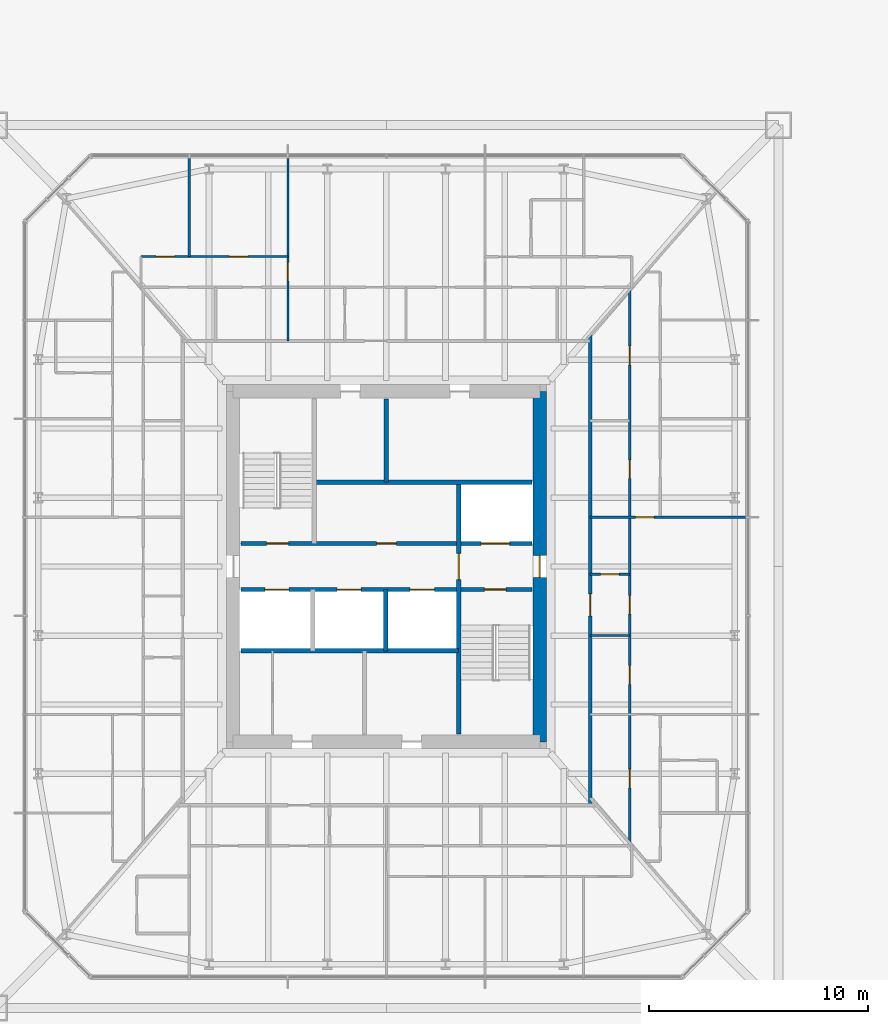
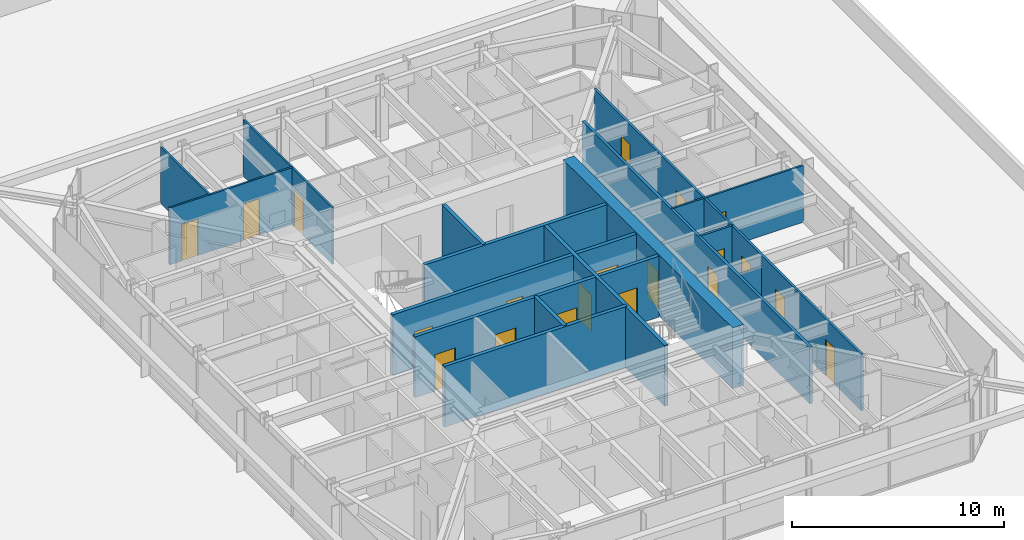
# One storey, part 24 of 31: 20 doors, 16 walls, 20 openings.
"""IFC4 building model written with IfcOpenShell, lengths in metres."""

from ifc_helpers import new_model, si_unit, direction, frame, frame_2d, origin, place, context, subcontext, project, spatial, rectangle, extrude, material, layer, layer_set, type_object, element, fill, save


model = new_model("IFC4")

# Units and contexts
model_context = context("Model", 3, precision=1e-05, world=origin(), true_north=direction((0.0, 1.0)))
body_context = subcontext(model_context, "Body", "Model", "MODEL_VIEW")
ifc_project = project(units=[si_unit("LENGTHUNIT", "METRE"), si_unit("AREAUNIT", "SQUARE_METRE"), si_unit("VOLUMEUNIT", "CUBIC_METRE"), si_unit("PLANEANGLEUNIT", "RADIAN"), si_unit("MASSUNIT", "GRAM", prefix="KILO")], contexts=[model_context])

# Site, building, storey
site_placement = place(None, origin())
site = spatial("IfcSite", under=ifc_project, at=site_placement, CompositionType="ELEMENT")
building_placement = place(site_placement, origin())
building = spatial("IfcBuilding", under=site, at=building_placement, Name="Iwan Alto Co-Living Towers", CompositionType="ELEMENT")
storey_placement = place(building_placement, frame((0.0, 0.0, 15.0)))
storey = spatial("IfcBuildingStorey", under=building, at=storey_placement, Name="L03", CompositionType="ELEMENT", Elevation=15.0)

# Wall, opening, door
ifc_material_1 = material(Name="Gypsum board")
ifc_layer_1 = layer(ifc_material_1, 0.02490234375, Name="Board", Category="Finish")
ifc_material_2 = material(Name="Steel ASTM A1003 ST33H cold-formed studs", Category="steel")
ifc_layer_2 = layer(ifc_material_2, 0.10009765625, Name="Studs", Category="Framing")
ifc_layer_3 = layer(ifc_material_1, 0.02490234375, Name="Board", Category="Finish")
ifc_layer_set_1 = layer_set([ifc_layer_1, ifc_layer_2, ifc_layer_3], Name="CORRIDOR WALL 150")
wall_type_1 = type_object("IfcWallType", Name="CORRIDOR WALL 150", PredefinedType="PARTITIONING", material=ifc_layer_set_1)
wall_1_placement = place(storey_placement, frame((72.300048828125, -10.89990234375, 0.0), z_axis=(0.0, 0.0, 1.0), x_axis=(0.0, 1.0, 0.0)))
wall_1 = element("IfcWall", 1, at=wall_1_placement, inside=storey, type_object=wall_type_1, Name="Partition L03", PredefinedType="PARTITIONING", context=body_context, shape_type="SweptSolid", body=[
    extrude(rectangle(XDim=21.468017578125, YDim=0.14990234375, at=frame_2d((10.73388671875, 0.0))), origin(), (0.0, 0.0, 1.0), 3.27001953125),
])
opening_1_placement = place(wall_1_placement, frame((8.64990234375, 0.0, 0.0)))
opening_1 = element("IfcOpeningElement", 2, at=opening_1_placement, cuts=wall_1, Name="Opening D3", PredefinedType="OPENING", context=body_context, shape_type="SweptSolid", body=[
    extrude(rectangle(XDim=1.0, YDim=2.10009765625, at=frame_2d((0.5, 1.050048828125))), frame((0.0, 0.0849609375, 0.0), z_axis=(0.0, -1.0, 0.0), x_axis=(1.0, 0.0, 0.0)), (0.0, 0.0, 1.0), 0.169921875),
])
ifc_material_3 = material(Name="Steel frame with timber leaf", Category="steel")
door_type_1 = type_object("IfcDoorType", Name="FLAT ENTRANCE DOOR FD30S 1000X2100", OperationType="SINGLE_SWING_LEFT", PredefinedType="DOOR", material=ifc_material_3)
door_1_placement = place(opening_1_placement, frame((1.0, 0.0, 0.0), z_axis=(0.0, 0.0, 1.0), x_axis=(-1.0, 0.0, 0.0)))
door_1 = element("IfcDoor", 3, at=door_1_placement, inside=storey, type_object=door_type_1, Name="Apartment foyer door L03", OperationType="SINGLE_SWING_RIGHT", OverallHeight=2.10009765625, OverallWidth=1.0, PredefinedType="DOOR", context=body_context, shape_type="SweptSolid", body=[
    extrude(rectangle(XDim=1.0, YDim=2.10009765625, at=frame_2d((0.5, 1.050048828125))), frame((0.0, 0.02490234375, 0.0), z_axis=(0.0, -1.0, 0.0), x_axis=(1.0, 0.0, 0.0)), (0.0, 0.0, 1.0), 0.050048828125),
])
fill(opening_1, door_1)

# Wall
ifc_layer_4 = layer(ifc_material_1, 0.012451171875, Name="Board", Category="Finish")
ifc_layer_5 = layer(ifc_material_2, 0.074951171875, Name="Studs", Category="Framing")
ifc_layer_6 = layer(ifc_material_1, 0.012451171875, Name="Board", Category="Finish")
ifc_layer_set_2 = layer_set([ifc_layer_4, ifc_layer_5, ifc_layer_6], Name="PARTITION 100")
wall_type_2 = type_object("IfcWallType", Name="PARTITION 100", PredefinedType="PARTITIONING", material=ifc_layer_set_2)
wall_2_placement = place(storey_placement, frame((72.300048828125, -3.14990234375, 0.0), z_axis=(0.0, 0.0, 1.0), x_axis=(1.0, 0.0, 0.0)))
element("IfcWall", 4, at=wall_2_placement, inside=storey, type_object=wall_type_2, Name="Partition L03", PredefinedType="PARTITIONING", context=body_context, shape_type="SweptSolid", body=[
    extrude(rectangle(XDim=1.800048828125, YDim=0.10009765625, at=frame_2d((0.89990234375, 0.0))), origin(), (0.0, 0.0, 1.0), 2.586669921875),
])

# Wall, opening, door
wall_3_placement = place(storey_placement, frame((72.300048828125, 2.25, 0.0), z_axis=(0.0, 0.0, 1.0), x_axis=(1.0, 0.0, 0.0)))
wall_3 = element("IfcWall", 5, at=wall_3_placement, inside=storey, type_object=wall_type_2, Name="Partition L03", PredefinedType="PARTITIONING", context=body_context, shape_type="SweptSolid", body=[
    extrude(rectangle(XDim=7.139892578125, YDim=0.10009765625, at=frame_2d((3.56982421875, 0.0))), origin(), (0.0, 0.0, 1.0), 3.27001953125),
])
opening_2_placement = place(wall_3_placement, frame((2.074951171875, 0.0, 0.0)))
opening_2 = element("IfcOpeningElement", 6, at=opening_2_placement, cuts=wall_3, Name="Opening D2", PredefinedType="OPENING", context=body_context, shape_type="SweptSolid", body=[
    extrude(rectangle(XDim=0.85009765625, YDim=2.10009765625, at=frame_2d((0.425048828125, 1.050048828125))), frame((0.0, 0.06005859375, 0.0), z_axis=(0.0, -1.0, 0.0), x_axis=(1.0, 0.0, 0.0)), (0.0, 0.0, 1.0), 0.1201171875),
])
ifc_material_4 = material(Name="Timber leaf in steel frame", Category="steel")
door_type_2 = type_object("IfcDoorType", Name="ROOM DOOR 850X2100", OperationType="SINGLE_SWING_LEFT", PredefinedType="DOOR", material=ifc_material_4)
door_2_placement = place(opening_2_placement, frame((0.85009765625, 0.0, 0.0), z_axis=(0.0, 0.0, 1.0), x_axis=(-1.0, 0.0, 0.0)))
door_2 = element("IfcDoor", 7, at=door_2_placement, inside=storey, type_object=door_type_2, Name="Apartment hall door L03", OperationType="SINGLE_SWING_RIGHT", OverallHeight=2.10009765625, OverallWidth=0.85009765625, PredefinedType="DOOR", context=body_context, shape_type="SweptSolid", body=[
    extrude(rectangle(XDim=0.85009765625, YDim=2.10009765625, at=frame_2d((0.425048828125, 1.050048828125))), frame((0.0, 0.02490234375, 0.0), z_axis=(0.0, -1.0, 0.0), x_axis=(1.0, 0.0, 0.0)), (0.0, 0.0, 1.0), 0.050048828125),
])
fill(opening_2, door_2)

# Wall, openings, doors
wall_4_placement = place(storey_placement, frame((51.800048828125, 14.14990234375, 0.0), z_axis=(0.0, 0.0, 1.0), x_axis=(1.0, 0.0, 0.0)))
wall_4 = element("IfcWall", 8, at=wall_4_placement, inside=storey, type_object=wall_type_2, Name="Partition L03", PredefinedType="PARTITIONING", context=body_context, shape_type="SweptSolid", body=[
    extrude(rectangle(XDim=6.699951171875, YDim=0.10009765625, at=frame_2d((3.35009765625, 0.0))), origin(), (0.0, 0.0, 1.0), 3.27001953125),
])
opening_3_placement = place(wall_4_placement, frame((4.02490234375, 0.0, 0.0)))
opening_3 = element("IfcOpeningElement", 9, at=opening_3_placement, cuts=wall_4, Name="Opening D2", PredefinedType="OPENING", context=body_context, shape_type="SweptSolid", body=[
    extrude(rectangle(XDim=0.85009765625, YDim=2.10009765625, at=frame_2d((0.425048828125, 1.050048828125))), frame((0.0, 0.06005859375, 0.0), z_axis=(0.0, -1.0, 0.0), x_axis=(1.0, 0.0, 0.0)), (0.0, 0.0, 1.0), 0.1201171875),
])
opening_4_placement = place(wall_4_placement, frame((0.675048828125, 0.0, 0.0)))
opening_4 = element("IfcOpeningElement", 10, at=opening_4_placement, cuts=wall_4, Name="Opening D2", PredefinedType="OPENING", context=body_context, shape_type="SweptSolid", body=[
    extrude(rectangle(XDim=0.85009765625, YDim=2.10009765625, at=frame_2d((0.425048828125, 1.050048828125))), frame((0.0, 0.06005859375, 0.0), z_axis=(0.0, -1.0, 0.0), x_axis=(1.0, 0.0, 0.0)), (0.0, 0.0, 1.0), 0.1201171875),
])
door_3_placement = place(opening_3_placement, origin())
door_3 = element("IfcDoor", 11, at=door_3_placement, inside=storey, type_object=door_type_2, Name="Study door L03", OperationType="SINGLE_SWING_LEFT", OverallHeight=2.10009765625, OverallWidth=0.85009765625, PredefinedType="DOOR", context=body_context, shape_type="SweptSolid", body=[
    extrude(rectangle(XDim=0.85009765625, YDim=2.10009765625, at=frame_2d((0.425048828125, 1.050048828125))), frame((0.0, 0.02490234375, 0.0), z_axis=(0.0, -1.0, 0.0), x_axis=(1.0, 0.0, 0.0)), (0.0, 0.0, 1.0), 0.050048828125),
])
fill(opening_3, door_3)
door_4_placement = place(opening_4_placement, origin())
door_4 = element("IfcDoor", 12, at=door_4_placement, inside=storey, type_object=door_type_2, Name="Bedroom door L03", OperationType="SINGLE_SWING_RIGHT", OverallHeight=2.10009765625, OverallWidth=0.85009765625, PredefinedType="DOOR", context=body_context, shape_type="SweptSolid", body=[
    extrude(rectangle(XDim=0.85009765625, YDim=2.10009765625, at=frame_2d((0.425048828125, 1.050048828125))), frame((0.0, 0.02490234375, 0.0), z_axis=(0.0, -1.0, 0.0), x_axis=(1.0, 0.0, 0.0)), (0.0, 0.0, 1.0), 0.050048828125),
])
fill(opening_4, door_4)

# Wall, opening, door
wall_5_placement = place(storey_placement, frame((58.5, 10.300048828125, 0.0), z_axis=(0.0, 0.0, 1.0), x_axis=(0.0, 1.0, 0.0)))
wall_5 = element("IfcWall", 13, at=wall_5_placement, inside=storey, type_object=wall_type_2, Name="Partition L03", PredefinedType="PARTITIONING", context=body_context, shape_type="SweptSolid", body=[
    extrude(rectangle(XDim=8.389892578125, YDim=0.10009765625, at=frame_2d((4.19482421875, 0.0))), origin(), (0.0, 0.0, 1.0), 3.27001953125),
])
opening_5_placement = place(wall_5_placement, frame((2.72509765625, 0.0, 0.0)))
opening_5 = element("IfcOpeningElement", 14, at=opening_5_placement, cuts=wall_5, Name="Opening D2", PredefinedType="OPENING", context=body_context, shape_type="SweptSolid", body=[
    extrude(rectangle(XDim=0.85009765625, YDim=2.10009765625, at=frame_2d((0.425048828125, 1.050048828125))), frame((0.0, 0.06005859375, 0.0), z_axis=(0.0, -1.0, 0.0), x_axis=(1.0, 0.0, 0.0)), (0.0, 0.0, 1.0), 0.1201171875),
])
door_5_placement = place(opening_5_placement, frame((0.85009765625, 0.0, 0.0), z_axis=(0.0, 0.0, 1.0), x_axis=(-1.0, 0.0, 0.0)))
door_5 = element("IfcDoor", 15, at=door_5_placement, inside=storey, type_object=door_type_2, Name="Apartment hall door L03", OperationType="SINGLE_SWING_RIGHT", OverallHeight=2.10009765625, OverallWidth=0.85009765625, PredefinedType="DOOR", context=body_context, shape_type="SweptSolid", body=[
    extrude(rectangle(XDim=0.85009765625, YDim=2.10009765625, at=frame_2d((0.425048828125, 1.050048828125))), frame((0.0, 0.02490234375, 0.0), z_axis=(0.0, -1.0, 0.0), x_axis=(1.0, 0.0, 0.0)), (0.0, 0.0, 1.0), 0.050048828125),
])
fill(opening_5, door_5)

# Walls
wall_6_placement = place(storey_placement, frame((54.0, 14.14990234375, 0.0), z_axis=(0.0, 0.0, 1.0), x_axis=(0.0, 1.0, 0.0)))
element("IfcWall", 16, at=wall_6_placement, inside=storey, type_object=wall_type_2, Name="Partition L03", PredefinedType="PARTITIONING", context=body_context, shape_type="SweptSolid", body=[
    extrude(rectangle(XDim=4.5400390625, YDim=0.10009765625, at=frame_2d((2.27001953125, 0.0))), origin(), (0.0, 0.0, 1.0), 3.27001953125),
])
ifc_material_5 = material(Name="Concrete f'c 70 MPa", Category="concrete")
ifc_layer_7 = layer(ifc_material_5, 0.199951171875)
ifc_layer_set_3 = layer_set([ifc_layer_7], Name="SHAFT WALL 200")
wall_type_3 = type_object("IfcWallType", Name="SHAFT WALL 200", PredefinedType="SOLIDWALL", material=ifc_layer_set_3)
wall_7_placement = place(storey_placement, frame((56.360107421875, -3.85009765625, 0.0), z_axis=(0.0, 0.0, 1.0), x_axis=(1.0, 0.0, 0.0)))
element("IfcWall", 17, at=wall_7_placement, inside=storey, type_object=wall_type_3, Name="Shaft wall L03", PredefinedType="SOLIDWALL", context=body_context, shape_type="SweptSolid", body=[
    extrude(rectangle(XDim=9.93994140625, YDim=0.199951171875, at=frame_2d((4.969970703125, 0.0))), origin(), (0.0, 0.0, 1.0), 3.5),
])

# Wall, openings, doors
wall_8_placement = place(storey_placement, frame((56.360107421875, -1.050048828125, 0.0), z_axis=(0.0, 0.0, 1.0), x_axis=(1.0, 0.0, 0.0)))
wall_8 = element("IfcWall", 18, at=wall_8_placement, inside=storey, type_object=wall_type_3, Name="Shaft wall L03", PredefinedType="SOLIDWALL", context=body_context, shape_type="SweptSolid", body=[
    extrude(rectangle(XDim=13.27978515625, YDim=0.199951171875, at=frame_2d((6.639892578125, 0.0))), origin(), (0.0, 0.0, 1.0), 3.5),
])
opening_6_placement = place(wall_8_placement, frame((11.110107421875, 0.0, 0.0)))
opening_6 = element("IfcOpeningElement", 19, at=opening_6_placement, cuts=wall_8, Name="Opening D5", PredefinedType="OPENING", context=body_context, shape_type="SweptSolid", body=[
    extrude(rectangle(XDim=1.0, YDim=2.10009765625, at=frame_2d((0.5, 1.050048828125))), frame((0.0, 0.10986328125, 0.0), z_axis=(0.0, -1.0, 0.0), x_axis=(1.0, 0.0, 0.0)), (0.0, 0.0, 1.0), 0.219970703125),
])
opening_7_placement = place(wall_8_placement, frame((1.0869140625, 0.0, 0.0)))
opening_7 = element("IfcOpeningElement", 20, at=opening_7_placement, cuts=wall_8, Name="Opening LD", PredefinedType="OPENING", context=body_context, shape_type="SweptSolid", body=[
    extrude(rectangle(XDim=1.10009765625, YDim=2.10009765625, at=frame_2d((0.550048828125, 1.050048828125))), frame((0.0, 0.10986328125, 0.0), z_axis=(0.0, -1.0, 0.0), x_axis=(1.0, 0.0, 0.0)), (0.0, 0.0, 1.0), 0.219970703125),
])
opening_8_placement = place(wall_8_placement, frame((4.389892578125, 0.0, 0.0)))
opening_8 = element("IfcOpeningElement", 21, at=opening_8_placement, cuts=wall_8, Name="Opening LD", PredefinedType="OPENING", context=body_context, shape_type="SweptSolid", body=[
    extrude(rectangle(XDim=1.10009765625, YDim=2.10009765625, at=frame_2d((0.550048828125, 1.050048828125))), frame((0.0, 0.10986328125, 0.0), z_axis=(0.0, -1.0, 0.0), x_axis=(1.0, 0.0, 0.0)), (0.0, 0.0, 1.0), 0.219970703125),
])
opening_9_placement = place(wall_8_placement, frame((7.72412109375, 0.0, 0.0)))
opening_9 = element("IfcOpeningElement", 22, at=opening_9_placement, cuts=wall_8, Name="Opening LD", PredefinedType="OPENING", context=body_context, shape_type="SweptSolid", body=[
    extrude(rectangle(XDim=1.10009765625, YDim=2.10009765625, at=frame_2d((0.550048828125, 1.050048828125))), frame((0.0, 0.10986328125, 0.0), z_axis=(0.0, -1.0, 0.0), x_axis=(1.0, 0.0, 0.0)), (0.0, 0.0, 1.0), 0.219970703125),
])
ifc_material_6 = material(Name="Steel frame with timber leaf", Category="steel")
door_type_3 = type_object("IfcDoorType", Name="LIFT LANDING DOOR 1100X2100", OperationType="DOUBLE_DOOR_SLIDING", PredefinedType="DOOR", material=ifc_material_6)
door_6_placement = place(opening_7_placement, origin())
door_6 = element("IfcDoor", 23, at=door_6_placement, inside=storey, type_object=door_type_3, Name="Lift P5-1 landing door L03", OperationType="DOUBLE_DOOR_SLIDING", OverallHeight=2.10009765625, OverallWidth=1.10009765625, PredefinedType="DOOR", context=body_context, shape_type="SweptSolid", body=[
    extrude(rectangle(XDim=1.10009765625, YDim=2.10009765625, at=frame_2d((0.550048828125, 1.050048828125))), frame((0.0, 0.02490234375, 0.0), z_axis=(0.0, -1.0, 0.0), x_axis=(1.0, 0.0, 0.0)), (0.0, 0.0, 1.0), 0.050048828125),
])
fill(opening_7, door_6)
door_7_placement = place(opening_8_placement, origin())
door_7 = element("IfcDoor", 24, at=door_7_placement, inside=storey, type_object=door_type_3, Name="Lift P5-2 landing door L03", OperationType="DOUBLE_DOOR_SLIDING", OverallHeight=2.10009765625, OverallWidth=1.10009765625, PredefinedType="DOOR", context=body_context, shape_type="SweptSolid", body=[
    extrude(rectangle(XDim=1.10009765625, YDim=2.10009765625, at=frame_2d((0.550048828125, 1.050048828125))), frame((0.0, 0.02490234375, 0.0), z_axis=(0.0, -1.0, 0.0), x_axis=(1.0, 0.0, 0.0)), (0.0, 0.0, 1.0), 0.050048828125),
])
fill(opening_8, door_7)
door_8_placement = place(opening_9_placement, origin())
door_8 = element("IfcDoor", 25, at=door_8_placement, inside=storey, type_object=door_type_3, Name="Lift P6-3 landing door L03", OperationType="DOUBLE_DOOR_SLIDING", OverallHeight=2.10009765625, OverallWidth=1.10009765625, PredefinedType="DOOR", context=body_context, shape_type="SweptSolid", body=[
    extrude(rectangle(XDim=1.10009765625, YDim=2.10009765625, at=frame_2d((0.550048828125, 1.050048828125))), frame((0.0, 0.02490234375, 0.0), z_axis=(0.0, -1.0, 0.0), x_axis=(1.0, 0.0, 0.0)), (0.0, 0.0, 1.0), 0.050048828125),
])
fill(opening_9, door_8)
ifc_material_7 = material(Name="Steel frame with timber leaf", Category="steel")
door_type_4 = type_object("IfcDoorType", Name="STAIR DOOR FD120S 1000X2100", OperationType="SINGLE_SWING_LEFT", PredefinedType="DOOR", material=ifc_material_7)
door_9_placement = place(opening_6_placement, frame((1.0, 0.0, 0.0), z_axis=(0.0, 0.0, 1.0), x_axis=(-1.0, 0.0, 0.0)))
door_9 = element("IfcDoor", 26, at=door_9_placement, inside=storey, type_object=door_type_4, Name="Stair S2 door L03", OperationType="SINGLE_SWING_RIGHT", OverallHeight=2.10009765625, OverallWidth=1.0, PredefinedType="DOOR", context=body_context, shape_type="SweptSolid", body=[
    extrude(rectangle(XDim=1.0, YDim=2.10009765625, at=frame_2d((0.5, 1.050048828125))), frame((0.0, 0.02490234375, 0.0), z_axis=(0.0, -1.0, 0.0), x_axis=(1.0, 0.0, 0.0)), (0.0, 0.0, 1.0), 0.050048828125),
])
fill(opening_6, door_9)

wall_9_placement = place(storey_placement, frame((56.360107421875, 1.050048828125, 0.0), z_axis=(0.0, 0.0, 1.0), x_axis=(1.0, 0.0, 0.0)))
wall_9 = element("IfcWall", 27, at=wall_9_placement, inside=storey, type_object=wall_type_3, Name="Shaft wall L03", PredefinedType="SOLIDWALL", context=body_context, shape_type="SweptSolid", body=[
    extrude(rectangle(XDim=13.27978515625, YDim=0.199951171875, at=frame_2d((6.639892578125, 0.0))), origin(), (0.0, 0.0, 1.0), 3.5),
])
opening_10_placement = place(wall_9_placement, frame((1.169921875, 0.0, 0.0)))
opening_10 = element("IfcOpeningElement", 28, at=opening_10_placement, cuts=wall_9, Name="Opening D5", PredefinedType="OPENING", context=body_context, shape_type="SweptSolid", body=[
    extrude(rectangle(XDim=1.0, YDim=2.10009765625, at=frame_2d((0.5, 1.050048828125))), frame((0.0, 0.10986328125, 0.0), z_axis=(0.0, -1.0, 0.0), x_axis=(1.0, 0.0, 0.0)), (0.0, 0.0, 1.0), 0.219970703125),
])
opening_11_placement = place(wall_9_placement, frame((6.18994140625, 0.0, 0.0)))
opening_11 = element("IfcOpeningElement", 29, at=opening_11_placement, cuts=wall_9, Name="Opening D8", PredefinedType="OPENING", context=body_context, shape_type="SweptSolid", body=[
    extrude(rectangle(XDim=0.89990234375, YDim=2.10009765625, at=frame_2d((0.449951171875, 1.050048828125))), frame((0.0, 0.10986328125, 0.0), z_axis=(0.0, -1.0, 0.0), x_axis=(1.0, 0.0, 0.0)), (0.0, 0.0, 1.0), 0.219970703125),
])
opening_12_placement = place(wall_9_placement, frame((10.9599609375, 0.0, 0.0)))
opening_12 = element("IfcOpeningElement", 30, at=opening_12_placement, cuts=wall_9, Name="Opening LD2", PredefinedType="OPENING", context=body_context, shape_type="SweptSolid", body=[
    extrude(rectangle(XDim=1.300048828125, YDim=2.10009765625, at=frame_2d((0.64990234375, 1.050048828125))), frame((0.0, 0.10986328125, 0.0), z_axis=(0.0, -1.0, 0.0), x_axis=(1.0, 0.0, 0.0)), (0.0, 0.0, 1.0), 0.219970703125),
])
ifc_material_8 = material(Name="Steel frame with timber leaf", Category="steel")
door_type_5 = type_object("IfcDoorType", Name="LIFT LANDING DOOR 1300X2100", OperationType="SLIDING_TO_LEFT", PredefinedType="DOOR", material=ifc_material_8)
door_10_placement = place(opening_12_placement, origin())
door_10 = element("IfcDoor", 31, at=door_10_placement, inside=storey, type_object=door_type_5, Name="Lift FL2 landing door L03", OperationType="SLIDING_TO_LEFT", OverallHeight=2.10009765625, OverallWidth=1.300048828125, PredefinedType="DOOR", context=body_context, shape_type="SweptSolid", body=[
    extrude(rectangle(XDim=1.300048828125, YDim=2.10009765625, at=frame_2d((0.64990234375, 1.050048828125))), frame((0.0, 0.02490234375, 0.0), z_axis=(0.0, -1.0, 0.0), x_axis=(1.0, 0.0, 0.0)), (0.0, 0.0, 1.0), 0.050048828125),
])
fill(opening_12, door_10)
ifc_material_9 = material(Name="Steel frame with timber leaf", Category="steel")
door_type_6 = type_object("IfcDoorType", Name="RISER DOOR FD120 900X2100", OperationType="SINGLE_SWING_LEFT", PredefinedType="DOOR", material=ifc_material_9)
door_11_placement = place(opening_11_placement, origin())
door_11 = element("IfcDoor", 32, at=door_11_placement, inside=storey, type_object=door_type_6, Name="Riser room door L03", OperationType="SINGLE_SWING_LEFT", OverallHeight=2.10009765625, OverallWidth=0.89990234375, PredefinedType="DOOR", context=body_context, shape_type="SweptSolid", body=[
    extrude(rectangle(XDim=0.89990234375, YDim=2.10009765625, at=frame_2d((0.449951171875, 1.050048828125))), frame((0.0, 0.02490234375, 0.0), z_axis=(0.0, -1.0, 0.0), x_axis=(1.0, 0.0, 0.0)), (0.0, 0.0, 1.0), 0.050048828125),
])
fill(opening_11, door_11)
door_12_placement = place(opening_10_placement, origin())
door_12 = element("IfcDoor", 33, at=door_12_placement, inside=storey, type_object=door_type_4, Name="Stair S1 door L03", OperationType="SINGLE_SWING_RIGHT", OverallHeight=2.10009765625, OverallWidth=1.0, PredefinedType="DOOR", context=body_context, shape_type="SweptSolid", body=[
    extrude(rectangle(XDim=1.0, YDim=2.10009765625, at=frame_2d((0.5, 1.050048828125))), frame((0.0, 0.02490234375, 0.0), z_axis=(0.0, -1.0, 0.0), x_axis=(1.0, 0.0, 0.0)), (0.0, 0.0, 1.0), 0.050048828125),
])
fill(opening_10, door_12)

# Wall
wall_10_placement = place(storey_placement, frame((59.699951171875, 3.85009765625, 0.0), z_axis=(0.0, 0.0, 1.0), x_axis=(1.0, 0.0, 0.0)))
element("IfcWall", 34, at=wall_10_placement, inside=storey, type_object=wall_type_3, Name="Shaft wall L03", PredefinedType="SOLIDWALL", context=body_context, shape_type="SweptSolid", body=[
    extrude(rectangle(XDim=9.93994140625, YDim=0.199951171875, at=frame_2d((4.969970703125, 0.0))), origin(), (0.0, 0.0, 1.0), 3.5),
])

# Wall, opening, door
wall_11_placement = place(storey_placement, frame((66.300048828125, -7.639892578125, 0.0), z_axis=(0.0, 0.0, 1.0), x_axis=(0.0, 1.0, 0.0)))
wall_11 = element("IfcWall", 35, at=wall_11_placement, inside=storey, type_object=wall_type_3, Name="Shaft wall L03", PredefinedType="SOLIDWALL", context=body_context, shape_type="SweptSolid", body=[
    extrude(rectangle(XDim=11.489990234375, YDim=0.199951171875, at=frame_2d((5.7451171875, 0.0))), origin(), (0.0, 0.0, 1.0), 3.5),
])
opening_13_placement = place(wall_11_placement, frame((7.0400390625, 0.0, 0.0)))
opening_13 = element("IfcOpeningElement", 36, at=opening_13_placement, cuts=wall_11, Name="Opening D6", PredefinedType="OPENING", context=body_context, shape_type="SweptSolid", body=[
    extrude(rectangle(XDim=1.199951171875, YDim=2.10009765625, at=frame_2d((0.60009765625, 1.050048828125))), frame((0.0, 0.10986328125, 0.0), z_axis=(0.0, -1.0, 0.0), x_axis=(1.0, 0.0, 0.0)), (0.0, 0.0, 1.0), 0.219970703125),
])
ifc_material_10 = material(Name="Steel frame with timber leaf", Category="steel")
door_type_7 = type_object("IfcDoorType", Name="LOBBY DOOR FD120S 1200X2100", OperationType="SINGLE_SWING_LEFT", PredefinedType="DOOR", material=ifc_material_10)
door_13_placement = place(opening_13_placement, frame((1.199951171875, 0.0, 0.0), z_axis=(0.0, 0.0, 1.0), x_axis=(-1.0, 0.0, 0.0)))
door_13 = element("IfcDoor", 37, at=door_13_placement, inside=storey, type_object=door_type_7, Name="Firefighting lobby door L03", OperationType="SINGLE_SWING_RIGHT", OverallHeight=2.10009765625, OverallWidth=1.199951171875, PredefinedType="DOOR", context=body_context, shape_type="SweptSolid", body=[
    extrude(rectangle(XDim=1.199951171875, YDim=2.10009765625, at=frame_2d((0.60009765625, 1.050048828125))), frame((0.0, 0.02490234375, 0.0), z_axis=(0.0, -1.0, 0.0), x_axis=(1.0, 0.0, 0.0)), (0.0, 0.0, 1.0), 0.050048828125),
])
fill(opening_13, door_13)

# Walls
wall_12_placement = place(storey_placement, frame((63.0, 3.85009765625, 0.0), z_axis=(0.0, 0.0, 1.0), x_axis=(0.0, 1.0, 0.0)))
element("IfcWall", 38, at=wall_12_placement, inside=storey, type_object=wall_type_3, Name="Shaft wall L03", PredefinedType="SOLIDWALL", context=body_context, shape_type="SweptSolid", body=[
    extrude(rectangle(XDim=3.789794921875, YDim=0.199951171875, at=frame_2d((1.89501953125, 0.0))), origin(), (0.0, 0.0, 1.0), 3.5),
])
wall_13_placement = place(storey_placement, frame((62.967041015625, -3.85009765625, 0.0), z_axis=(0.0, 0.0, 1.0), x_axis=(0.0, 1.0, 0.0)))
element("IfcWall", 39, at=wall_13_placement, inside=storey, type_object=wall_type_3, Name="Shaft wall L03", PredefinedType="SOLIDWALL", context=body_context, shape_type="SweptSolid", body=[
    extrude(rectangle(XDim=2.800048828125, YDim=0.199951171875, at=frame_2d((1.39990234375, 0.0))), origin(), (0.0, 0.0, 1.0), 3.5),
])

# Wall, opening, door
ifc_material_11 = material(Name="Concrete f'c 70 MPa", Category="concrete")
ifc_layer_8 = layer(ifc_material_11, 0.60009765625)
ifc_layer_set_4 = layer_set([ifc_layer_8], Name="T2 CORE WALL 600")
wall_type_4 = type_object("IfcWallType", Name="T2 CORE WALL 600", PredefinedType="SHEAR", material=ifc_layer_set_4)
wall_14_placement = place(storey_placement, frame((70.0, -8.0, 0.0), z_axis=(0.0, 0.0, 1.0), x_axis=(0.0, 1.0, 0.0)))
wall_14 = element("IfcWall", 40, at=wall_14_placement, inside=storey, type_object=wall_type_4, Name="T2 core wall E L03", PredefinedType="SHEAR", context=body_context, shape_type="SweptSolid", body=[
    extrude(rectangle(XDim=16.0, YDim=0.60009765625, at=frame_2d((8.0, 0.0))), origin(), (0.0, 0.0, 1.0), 3.5),
])
opening_14_placement = place(wall_14_placement, frame((7.5, 0.0, 0.0)))
opening_14 = element("IfcOpeningElement", 41, at=opening_14_placement, cuts=wall_14, Name="Opening D7", PredefinedType="OPENING", context=body_context, shape_type="SweptSolid", body=[
    extrude(rectangle(XDim=1.0, YDim=2.10009765625, at=frame_2d((0.5, 1.050048828125))), frame((0.0, 0.31005859375, 0.0), z_axis=(0.0, -1.0, 0.0), x_axis=(1.0, 0.0, 0.0)), (0.0, 0.0, 1.0), 0.6201171875),
])
ifc_material_12 = material(Name="Steel frame with timber leaf", Category="steel")
door_type_8 = type_object("IfcDoorType", Name="CORE DOOR FD120S 1000X2100", OperationType="SINGLE_SWING_LEFT", PredefinedType="DOOR", material=ifc_material_12)
door_14_placement = place(opening_14_placement, origin())
door_14 = element("IfcDoor", 42, at=door_14_placement, inside=storey, type_object=door_type_8, Name="Firefighting lobby core door L03", OperationType="SINGLE_SWING_LEFT", OverallHeight=2.10009765625, OverallWidth=1.0, PredefinedType="DOOR", context=body_context, shape_type="SweptSolid", body=[
    extrude(rectangle(XDim=1.0, YDim=2.10009765625, at=frame_2d((0.5, 1.050048828125))), frame((0.0, 0.02490234375, 0.0), z_axis=(0.0, -1.0, 0.0), x_axis=(1.0, 0.0, 0.0)), (0.0, 0.0, 1.0), 0.050048828125),
])
fill(opening_14, door_14)

ifc_material_13 = material(Name="Cement board")
ifc_layer_9 = layer(ifc_material_13, 0.012451171875, Name="Board", Category="Finish")
ifc_layer_10 = layer(ifc_material_2, 0.094970703125, Name="Studs", Category="Framing")
ifc_layer_11 = layer(ifc_material_13, 0.012451171875, Name="Board", Category="Finish")
ifc_layer_set_5 = layer_set([ifc_layer_9, ifc_layer_10, ifc_layer_11], Name="WET AREA PARTITION 120")
wall_type_5 = type_object("IfcWallType", Name="WET AREA PARTITION 120", PredefinedType="PARTITIONING", material=ifc_layer_set_5)
wall_15_placement = place(storey_placement, frame((72.300048828125, -0.35009765625, 0.0), z_axis=(0.0, 0.0, 1.0), x_axis=(1.0, 0.0, 0.0)))
wall_15 = element("IfcWall", 43, at=wall_15_placement, inside=storey, type_object=wall_type_5, Name="Partition L03", PredefinedType="PARTITIONING", context=body_context, shape_type="SweptSolid", body=[
    extrude(rectangle(XDim=1.800048828125, YDim=0.1201171875, at=frame_2d((0.89990234375, 0.0))), origin(), (0.0, 0.0, 1.0), 3.27001953125),
])
opening_15_placement = place(wall_15_placement, frame((0.47509765625, 0.0, 0.0)))
opening_15 = element("IfcOpeningElement", 44, at=opening_15_placement, cuts=wall_15, Name="Opening D2", PredefinedType="OPENING", context=body_context, shape_type="SweptSolid", body=[
    extrude(rectangle(XDim=0.85009765625, YDim=2.10009765625, at=frame_2d((0.425048828125, 1.050048828125))), frame((0.0, 0.070068359375, 0.0), z_axis=(0.0, -1.0, 0.0), x_axis=(1.0, 0.0, 0.0)), (0.0, 0.0, 1.0), 0.14013671875),
])
door_15_placement = place(opening_15_placement, origin())
door_15 = element("IfcDoor", 45, at=door_15_placement, inside=storey, type_object=door_type_2, Name="Bathroom door L03", OperationType="SINGLE_SWING_LEFT", OverallHeight=2.10009765625, OverallWidth=0.85009765625, PredefinedType="DOOR", context=body_context, shape_type="SweptSolid", body=[
    extrude(rectangle(XDim=0.85009765625, YDim=2.10009765625, at=frame_2d((0.425048828125, 1.050048828125))), frame((0.0, 0.02490234375, 0.0), z_axis=(0.0, -1.0, 0.0), x_axis=(1.0, 0.0, 0.0)), (0.0, 0.0, 1.0), 0.050048828125),
])
fill(opening_15, door_15)

# Wall, openings, doors
wall_16_placement = place(storey_placement, frame((74.10009765625, -12.614013671875, 0.0), z_axis=(0.0, 0.0, 1.0), x_axis=(0.0, 1.0, 0.0)))
wall_16 = element("IfcWall", 46, at=wall_16_placement, inside=storey, type_object=wall_type_5, Name="Partition L03", PredefinedType="PARTITIONING", context=body_context, shape_type="SweptSolid", body=[
    extrude(rectangle(XDim=25.22802734375, YDim=0.1201171875, at=frame_2d((12.614013671875, 0.0))), origin(), (0.0, 0.0, 1.0), 3.27001953125),
])
opening_16_placement = place(wall_16_placement, frame((7.239013671875, 0.0, 0.0)))
opening_16 = element("IfcOpeningElement", 47, at=opening_16_placement, cuts=wall_16, Name="Opening D2", PredefinedType="OPENING", context=body_context, shape_type="SweptSolid", body=[
    extrude(rectangle(XDim=0.85009765625, YDim=2.10009765625, at=frame_2d((0.425048828125, 1.050048828125))), frame((0.0, 0.070068359375, 0.0), z_axis=(0.0, -1.0, 0.0), x_axis=(1.0, 0.0, 0.0)), (0.0, 0.0, 1.0), 0.14013671875),
])
opening_17_placement = place(wall_16_placement, frame((10.43896484375, 0.0, 0.0)))
opening_17 = element("IfcOpeningElement", 48, at=opening_17_placement, cuts=wall_16, Name="Opening D2", PredefinedType="OPENING", context=body_context, shape_type="SweptSolid", body=[
    extrude(rectangle(XDim=0.85009765625, YDim=2.10009765625, at=frame_2d((0.425048828125, 1.050048828125))), frame((0.0, 0.070068359375, 0.0), z_axis=(0.0, -1.0, 0.0), x_axis=(1.0, 0.0, 0.0)), (0.0, 0.0, 1.0), 0.14013671875),
])
opening_18_placement = place(wall_16_placement, frame((2.507080078125, 0.0, 0.0)))
opening_18 = element("IfcOpeningElement", 49, at=opening_18_placement, cuts=wall_16, Name="Opening D2", PredefinedType="OPENING", context=body_context, shape_type="SweptSolid", body=[
    extrude(rectangle(XDim=0.85009765625, YDim=2.10009765625, at=frame_2d((0.425048828125, 1.050048828125))), frame((0.0, 0.070068359375, 0.0), z_axis=(0.0, -1.0, 0.0), x_axis=(1.0, 0.0, 0.0)), (0.0, 0.0, 1.0), 0.14013671875),
])
opening_19_placement = place(wall_16_placement, frame((16.638916015625, 0.0, 0.0)))
opening_19 = element("IfcOpeningElement", 50, at=opening_19_placement, cuts=wall_16, Name="Opening D2", PredefinedType="OPENING", context=body_context, shape_type="SweptSolid", body=[
    extrude(rectangle(XDim=0.85009765625, YDim=2.10009765625, at=frame_2d((0.425048828125, 1.050048828125))), frame((0.0, 0.070068359375, 0.0), z_axis=(0.0, -1.0, 0.0), x_axis=(1.0, 0.0, 0.0)), (0.0, 0.0, 1.0), 0.14013671875),
])
opening_20_placement = place(wall_16_placement, frame((21.821044921875, 0.0, 0.0)))
opening_20 = element("IfcOpeningElement", 51, at=opening_20_placement, cuts=wall_16, Name="Opening D2", PredefinedType="OPENING", context=body_context, shape_type="SweptSolid", body=[
    extrude(rectangle(XDim=0.85009765625, YDim=2.10009765625, at=frame_2d((0.425048828125, 1.050048828125))), frame((0.0, 0.070068359375, 0.0), z_axis=(0.0, -1.0, 0.0), x_axis=(1.0, 0.0, 0.0)), (0.0, 0.0, 1.0), 0.14013671875),
])
door_16_placement = place(opening_16_placement, frame((0.85009765625, 0.0, 0.0), z_axis=(0.0, 0.0, 1.0), x_axis=(-1.0, 0.0, 0.0)))
door_16 = element("IfcDoor", 52, at=door_16_placement, inside=storey, type_object=door_type_2, Name="Kitchen door L03", OperationType="SINGLE_SWING_RIGHT", OverallHeight=2.10009765625, OverallWidth=0.85009765625, PredefinedType="DOOR", context=body_context, shape_type="SweptSolid", body=[
    extrude(rectangle(XDim=0.85009765625, YDim=2.10009765625, at=frame_2d((0.425048828125, 1.050048828125))), frame((0.0, 0.02490234375, 0.0), z_axis=(0.0, -1.0, 0.0), x_axis=(1.0, 0.0, 0.0)), (0.0, 0.0, 1.0), 0.050048828125),
])
fill(opening_16, door_16)
door_17_placement = place(opening_17_placement, frame((0.85009765625, 0.0, 0.0), z_axis=(0.0, 0.0, 1.0), x_axis=(-1.0, 0.0, 0.0)))
door_17 = element("IfcDoor", 53, at=door_17_placement, inside=storey, type_object=door_type_2, Name="Apartment foyer door L03", OperationType="SINGLE_SWING_LEFT", OverallHeight=2.10009765625, OverallWidth=0.85009765625, PredefinedType="DOOR", context=body_context, shape_type="SweptSolid", body=[
    extrude(rectangle(XDim=0.85009765625, YDim=2.10009765625, at=frame_2d((0.425048828125, 1.050048828125))), frame((0.0, 0.02490234375, 0.0), z_axis=(0.0, -1.0, 0.0), x_axis=(1.0, 0.0, 0.0)), (0.0, 0.0, 1.0), 0.050048828125),
])
fill(opening_17, door_17)
door_18_placement = place(opening_18_placement, origin())
door_18 = element("IfcDoor", 54, at=door_18_placement, inside=storey, type_object=door_type_2, Name="Utility room door L03", OperationType="SINGLE_SWING_LEFT", OverallHeight=2.10009765625, OverallWidth=0.85009765625, PredefinedType="DOOR", context=body_context, shape_type="SweptSolid", body=[
    extrude(rectangle(XDim=0.85009765625, YDim=2.10009765625, at=frame_2d((0.425048828125, 1.050048828125))), frame((0.0, 0.02490234375, 0.0), z_axis=(0.0, -1.0, 0.0), x_axis=(1.0, 0.0, 0.0)), (0.0, 0.0, 1.0), 0.050048828125),
])
fill(opening_18, door_18)
door_19_placement = place(opening_19_placement, origin())
door_19 = element("IfcDoor", 55, at=door_19_placement, inside=storey, type_object=door_type_2, Name="Utility room door L03", OperationType="SINGLE_SWING_LEFT", OverallHeight=2.10009765625, OverallWidth=0.85009765625, PredefinedType="DOOR", context=body_context, shape_type="SweptSolid", body=[
    extrude(rectangle(XDim=0.85009765625, YDim=2.10009765625, at=frame_2d((0.425048828125, 1.050048828125))), frame((0.0, 0.02490234375, 0.0), z_axis=(0.0, -1.0, 0.0), x_axis=(1.0, 0.0, 0.0)), (0.0, 0.0, 1.0), 0.050048828125),
])
fill(opening_19, door_19)
door_20_placement = place(opening_20_placement, origin())
door_20 = element("IfcDoor", 56, at=door_20_placement, inside=storey, type_object=door_type_2, Name="Store room door L03", OperationType="SINGLE_SWING_RIGHT", OverallHeight=2.10009765625, OverallWidth=0.85009765625, PredefinedType="DOOR", context=body_context, shape_type="SweptSolid", body=[
    extrude(rectangle(XDim=0.85009765625, YDim=2.10009765625, at=frame_2d((0.425048828125, 1.050048828125))), frame((0.0, 0.02490234375, 0.0), z_axis=(0.0, -1.0, 0.0), x_axis=(1.0, 0.0, 0.0)), (0.0, 0.0, 1.0), 0.050048828125),
])
fill(opening_20, door_20)

save(model, "model.ifc")
